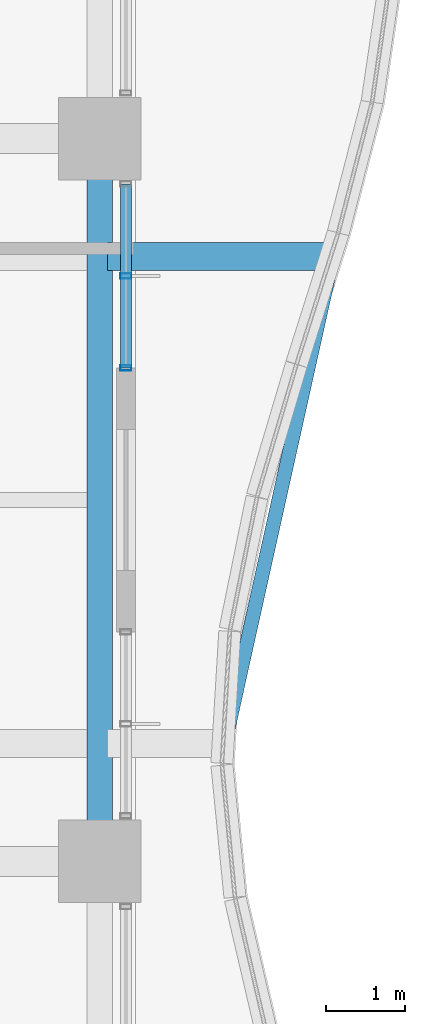
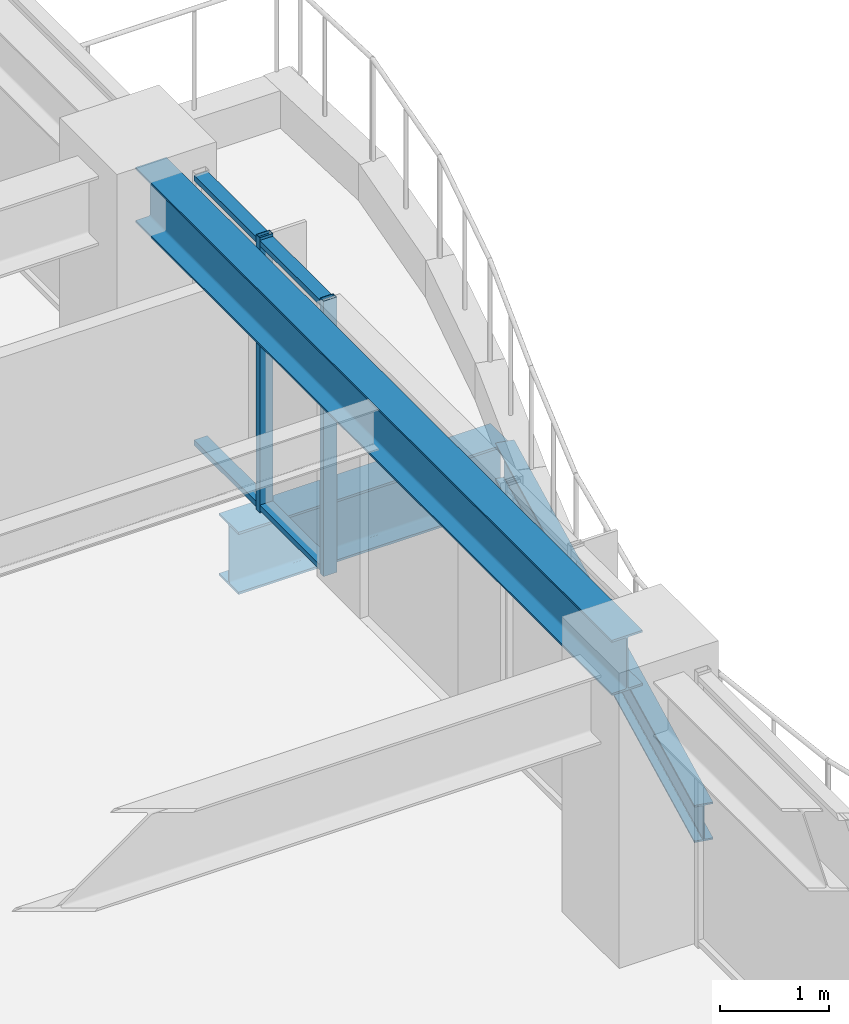
# One storey, part 17 of 36: 4 members, 3 beams, 1 element without a shape of its own.
"""IFC4 building model written with IfcOpenShell, lengths in metres."""

from ifc_helpers import new_model, si_unit, direction, frame, origin, origin_2d, place, context, subcontext, project, spatial, hollow_rectangle, i_section, extrude, material, material_profile, profile_set, type_object, element, aggregate, save


model = new_model("IFC4")

# Units and contexts
model_context = context("Model", 3, precision=1e-05, world=origin(), true_north=direction((0.0, 1.0)))
body_context = subcontext(model_context, "Body", "Model", "MODEL_VIEW")
ifc_project = project(units=[si_unit("LENGTHUNIT", "METRE"), si_unit("AREAUNIT", "SQUARE_METRE"), si_unit("VOLUMEUNIT", "CUBIC_METRE"), si_unit("PLANEANGLEUNIT", "RADIAN"), si_unit("MASSUNIT", "GRAM", prefix="KILO")], contexts=[model_context])

# Site, building, storey
site_placement = place(None, origin())
site = spatial("IfcSite", under=ifc_project, at=site_placement, CompositionType="ELEMENT")
building_placement = place(site_placement, origin())
building = spatial("IfcBuilding", under=site, at=building_placement, Name="Kolvaren Belvedere", CompositionType="ELEMENT")
storey_placement = place(building_placement, frame((0.0, 0.0, 95.300048828125)))
storey = spatial("IfcBuildingStorey", under=building, at=storey_placement, Name="L27", CompositionType="ELEMENT", Elevation=95.300048828125)

# Beams
ifc_material_1 = material(Name="Structural steel ASTM A992 Grade 50", Category="steel")
ifc_material_profile_1 = material_profile(ifc_material_1, i_section(OverallWidth=0.35498046875, OverallDepth=0.696044921875, WebThickness=0.015380859375, FlangeThickness=0.02490234375, FilletRadius=0.02197265625, at=origin_2d()), Name="W27X146")
ifc_profile_set_1 = profile_set([ifc_material_profile_1], Name="Structural steel ASTM A992 Grade 50")
beam_type_1 = type_object("IfcBeamType", Name="BM-CANT-BAL", PredefinedType="BEAM", material=ifc_profile_set_1)
beam_1_placement = place(storey_placement, frame((20.044921875, 3.10009765625, -0.568115234375), z_axis=(1.0, 0.0, 0.0), x_axis=(0.0, 1.0, 0.0)))
element("IfcBeam", 1, at=beam_1_placement, inside=storey, type_object=beam_type_1, Name="L27 Planted Balcony Cantilever BAL-E-2", PredefinedType="BEAM", context=body_context, shape_type="SweptSolid", body=[
    extrude(i_section(OverallWidth=0.35498046875, OverallDepth=0.696044921875, WebThickness=0.015380859375, FlangeThickness=0.02490234375, FilletRadius=0.02197265625, at=origin_2d()), origin(), (0.0, 0.0, 1.0), 2.8701171875),
])
ifc_material_2 = material(Name="Structural steel ASTM A992 Grade 50", Category="steel")
ifc_material_profile_2 = material_profile(ifc_material_2, i_section(OverallWidth=0.180908203125, OverallDepth=0.4169921875, WebThickness=0.010986328125, FlangeThickness=0.018310546875, FilletRadius=0.013916015625, at=origin_2d()), Name="W16X57")
ifc_profile_set_2 = profile_set([ifc_material_profile_2], Name="Structural steel ASTM A992 Grade 50")
beam_type_2 = type_object("IfcBeamType", Name="BM-EDGE-W16X57", PredefinedType="BEAM", material=ifc_profile_set_2)
beam_2_placement = place(storey_placement, frame((21.568115234375, -2.96337890625, -0.428466796875), z_axis=(0.216866590272, 0.97620125078, 0.0), x_axis=(-0.97620125078, 0.216866590272, 0.0)))
element("IfcBeam", 2, at=beam_2_placement, inside=storey, type_object=beam_type_2, Name="L27 Balcony Tip Header Beam BAL-E", PredefinedType="BEAM", context=body_context, shape_type="SweptSolid", body=[
    extrude(i_section(OverallWidth=0.180908203125, OverallDepth=0.4169921875, WebThickness=0.010986328125, FlangeThickness=0.018310546875, FilletRadius=0.013916015625, at=origin_2d()), origin(), (0.0, 0.0, 1.0), 6.0712890625),
])
ifc_material_3 = material(Name="Structural steel ASTM A992 Grade 50", Category="steel")
ifc_material_profile_3 = material_profile(ifc_material_3, i_section(OverallWidth=0.324951171875, OverallDepth=0.615966796875, WebThickness=0.013916015625, FlangeThickness=0.021484375, FilletRadius=0.02001953125, at=origin_2d()), Name="W24X117")
ifc_profile_set_3 = profile_set([ifc_material_profile_3], Name="Structural steel ASTM A992 Grade 50")
beam_type_3 = type_object("IfcBeamType", Name="BM-SPAN-W24X117", PredefinedType="SPANDREL", material=ifc_profile_set_3)
beam_3_placement = place(storey_placement, frame((19.949951171875, -4.36376953125, 2.77197265625), z_axis=(0.0, 1.0, 0.0), x_axis=(-1.0, 0.0, 0.0)))
element("IfcBeam", 3, at=beam_3_placement, inside=storey, type_object=beam_type_3, Name="L27 Perimeter Spandrel E2-E3", PredefinedType="SPANDREL", context=body_context, shape_type="SweptSolid", body=[
    extrude(i_section(OverallWidth=0.324951171875, OverallDepth=0.615966796875, WebThickness=0.013916015625, FlangeThickness=0.021484375, FilletRadius=0.02001953125, at=origin_2d()), origin(), (0.0, 0.0, 1.0), 8.7275390625),
])

# Curtain wall, members
ifc_material_4 = material(Name="Anodised pale-metal aluminium AA 6063-T6", Category="aluminium")
curtain_wall_type = type_object("IfcCurtainWallType", Name="CW-Z2-MID", PredefinedType="NOTDEFINED", material=ifc_material_4)
curtain_wall_placement = place(storey_placement, origin())
curtain_wall = element("IfcCurtainWall", 4, at=curtain_wall_placement, inside=storey, type_object=curtain_wall_type, Name="L27 Unitised Curtain Wall FCW-L27-E1-B2", PredefinedType="NOTDEFINED")
ifc_material_5 = material(Name="Anodised pale-metal aluminium AA 6063-T6", Category="aluminium")
ifc_material_profile_4 = material_profile(ifc_material_5, hollow_rectangle(XDim=0.06494140625, YDim=0.139892578125, WallThickness=0.00390625, at=origin_2d()), Name="ALU-MUL-140X65")
ifc_profile_set_4 = profile_set([ifc_material_profile_4], Name="Anodised pale-metal aluminium AA 6063-T6")
member_type_1 = type_object("IfcMemberType", Name="CW-MUL-140", PredefinedType="MULLION", material=ifc_profile_set_4)
member_1_placement = place(storey_placement, frame((20.280029296875, 2.851318359375, 0.0), z_axis=(0.0, 0.0, 1.0), x_axis=(0.0, 1.0, 0.0)))
member_1 = element("IfcMember", 5, at=member_1_placement, type_object=member_type_1, Name="FCW-L27-E1-B2 Unitised Mullion 2", PredefinedType="MULLION", context=body_context, shape_type="SweptSolid", body=[
    extrude(hollow_rectangle(XDim=0.06494140625, YDim=0.139892578125, WallThickness=0.00390625, at=origin_2d()), origin(), (0.0, 0.0, 1.0), 3.079833984375),
])
member_2_placement = place(storey_placement, frame((20.280029296875, 1.679931640625, 0.0), z_axis=(0.0, 0.0, 1.0), x_axis=(0.0, 1.0, 0.0)))
member_2 = element("IfcMember", 6, at=member_2_placement, type_object=member_type_1, Name="FCW-L27-E1-B2 Unitised Mullion 3", PredefinedType="MULLION", context=body_context, shape_type="SweptSolid", body=[
    extrude(hollow_rectangle(XDim=0.06494140625, YDim=0.139892578125, WallThickness=0.00390625, at=origin_2d()), origin(), (0.0, 0.0, 1.0), 3.079833984375),
])
ifc_material_6 = material(Name="Anodised pale-metal aluminium AA 6063-T6", Category="aluminium")
ifc_material_profile_5 = material_profile(ifc_material_6, hollow_rectangle(XDim=0.06005859375, YDim=0.139892578125, WallThickness=0.00390625, at=origin_2d()), Name="ALU-TRN-140X60")
ifc_profile_set_5 = profile_set([ifc_material_profile_5], Name="Anodised pale-metal aluminium AA 6063-T6")
member_type_2 = type_object("IfcMemberType", Name="CW-TRN-140", PredefinedType="USERDEFINED", material=ifc_profile_set_5)
member_3_placement = place(storey_placement, frame((20.280029296875, 4.0224609375, 0.06005859375), z_axis=(0.0, -1.0, 0.0), x_axis=(0.0, 0.0, 1.0)))
member_3 = element("IfcMember", 7, at=member_3_placement, type_object=member_type_2, Name="FCW-L27-E1-B2 Sill Transom", ObjectType="TRANSOM", PredefinedType="USERDEFINED", context=body_context, shape_type="SweptSolid", body=[
    extrude(hollow_rectangle(XDim=0.06005859375, YDim=0.139892578125, WallThickness=0.00390625, at=origin_2d()), origin(), (0.0, 0.0, 1.0), 2.342529296875),
])
member_4_placement = place(storey_placement, frame((20.280029296875, 4.0224609375, 3.02001953125), z_axis=(0.0, -1.0, 0.0), x_axis=(0.0, 0.0, 1.0)))
member_4 = element("IfcMember", 8, at=member_4_placement, type_object=member_type_2, Name="FCW-L27-E1-B2 Head Transom", ObjectType="TRANSOM", PredefinedType="USERDEFINED", context=body_context, shape_type="SweptSolid", body=[
    extrude(hollow_rectangle(XDim=0.06005859375, YDim=0.139892578125, WallThickness=0.00390625, at=origin_2d()), origin(), (0.0, 0.0, 1.0), 2.342529296875),
])
aggregate(curtain_wall, [member_1, member_2, member_3, member_4])

save(model, "model.ifc")
